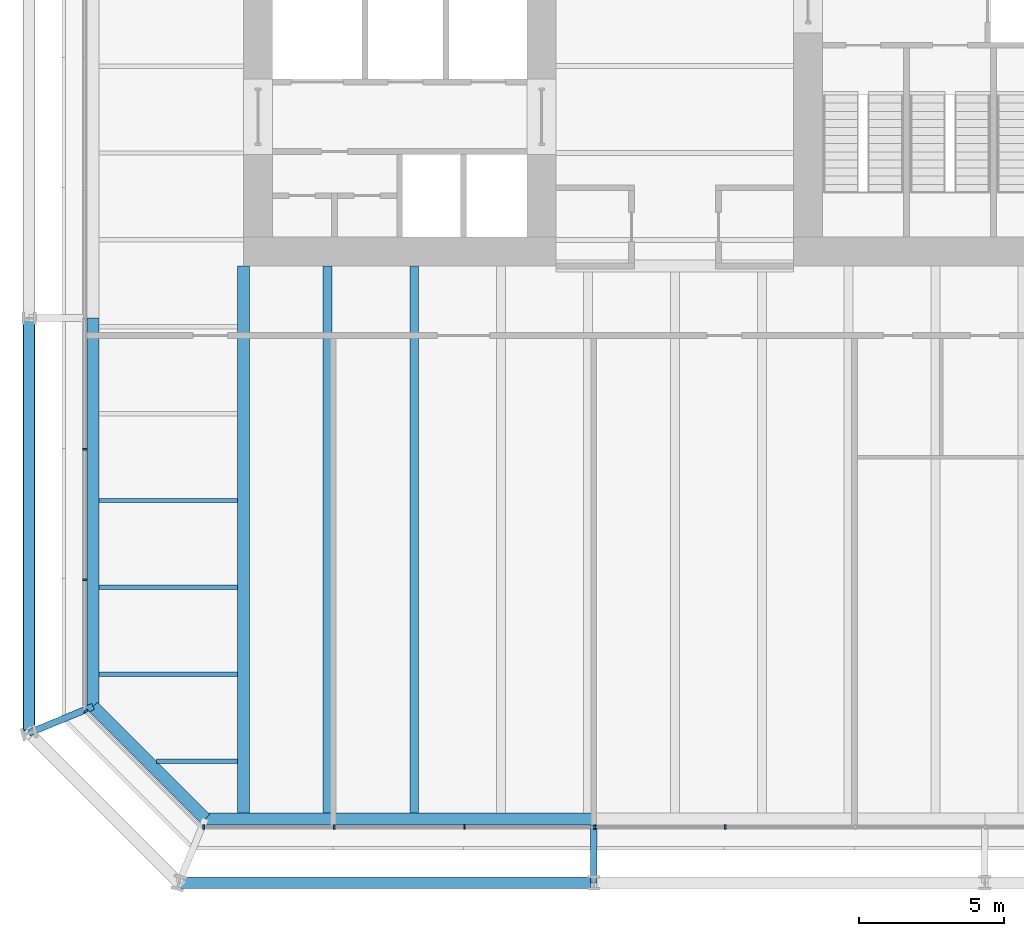
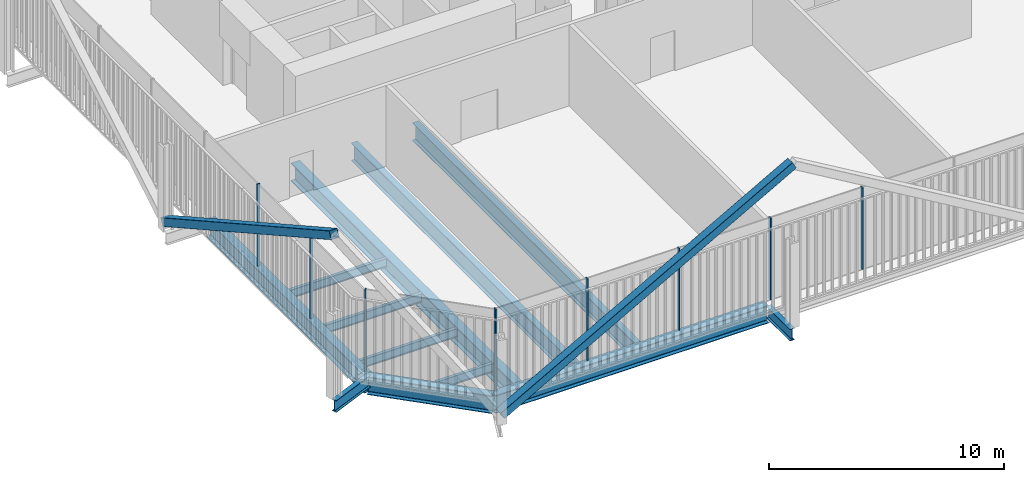
# One storey, part 2 of 21: 12 beams, 10 members, 3 elements without a shape of their own.
"""IFC4 building model written with IfcOpenShell, lengths in metres."""

from ifc_helpers import new_model, si_unit, direction, frame, origin, origin_2d, place, context, subcontext, project, spatial, rectangle, hollow_rectangle, i_section, extrude, material, layer, layer_set, material_profile, profile_set, type_object, element, aggregate, save


model = new_model("IFC4")

# Units and contexts
model_context = context("Model", 3, precision=1e-05, world=origin(), true_north=direction((0.0, 1.0)))
body_context = subcontext(model_context, "Body", "Model", "MODEL_VIEW")
ifc_project = project(units=[si_unit("LENGTHUNIT", "METRE"), si_unit("AREAUNIT", "SQUARE_METRE"), si_unit("VOLUMEUNIT", "CUBIC_METRE"), si_unit("PLANEANGLEUNIT", "RADIAN"), si_unit("MASSUNIT", "GRAM", prefix="KILO")], contexts=[model_context])

# Site, building, storey
site_placement = place(None, origin())
site = spatial("IfcSite", under=ifc_project, at=site_placement, CompositionType="ELEMENT")
building_placement = place(site_placement, origin())
building = spatial("IfcBuilding", under=site, at=building_placement, Name="Millrace Tower", CompositionType="ELEMENT")
storey_placement = place(building_placement, frame((0.0, 0.0, 104.0)))
storey = spatial("IfcBuildingStorey", under=building, at=storey_placement, Name="L23", CompositionType="ELEMENT", Elevation=104.0)

# Curtain wall, member
ifc_material_1 = material(Name="Aluminium and glass", Category="aluminium")
ifc_layer = layer(ifc_material_1, 0.14990234375)
ifc_layer_set = layer_set([ifc_layer], Name="Aluminium and glass")
curtain_wall_type = type_object("IfcCurtainWallType", Name="CW-3 telecom floor curtain wall", PredefinedType="NOTDEFINED", material=ifc_layer_set)
placement = place(storey_placement, origin())
curtain_wall_1 = element("IfcCurtainWall", 1, at=placement, inside=storey, type_object=curtain_wall_type, Name="Curtain wall B-F01 L23", PredefinedType="NOTDEFINED")
ifc_material_2 = material(Name="Aluminium", Category="aluminium")
ifc_material_profile_1 = material_profile(ifc_material_2, rectangle(XDim=0.06494140625, YDim=0.14990234375, at=origin_2d()))
ifc_profile_set_1 = profile_set([ifc_material_profile_1], Name="Aluminium")
member_type_1 = type_object("IfcMemberType", Name="CW-3 telecom floor curtain wall mullion", PredefinedType="MULLION", material=ifc_profile_set_1)
member_1_placement = place(storey_placement, frame((-20.330078125, -25.276123046875, 0.14990234375), z_axis=(0.0, 0.0, 1.0), x_axis=(0.707106781187, -0.707106781187, 0.0)))
member_1 = element("IfcMember", 2, at=member_1_placement, type_object=member_type_1, Name="CW3 mullion B-F01.1", PredefinedType="MULLION", context=body_context, shape_type="SweptSolid", body=[
    extrude(rectangle(XDim=0.06494140625, YDim=0.14990234375, at=origin_2d()), origin(), (0.0, 0.0, 1.0), 4.25),
])
aggregate(curtain_wall_1, [member_1])

# Curtain wall, members
curtain_wall_2 = element("IfcCurtainWall", 3, at=placement, inside=storey, type_object=curtain_wall_type, Name="Curtain wall B-F02 L23", PredefinedType="NOTDEFINED")
member_2_placement = place(storey_placement, frame((-16.267578125, -29.27490234375, 0.14990234375), z_axis=(0.0, 0.0, 1.0), x_axis=(1.0, 0.0, 0.0)))
member_2 = element("IfcMember", 4, at=member_2_placement, type_object=member_type_1, Name="CW3 mullion B-F02.1", PredefinedType="MULLION", context=body_context, shape_type="SweptSolid", body=[
    extrude(rectangle(XDim=0.06494140625, YDim=0.14990234375, at=origin_2d()), origin(), (0.0, 0.0, 1.0), 4.25),
])
member_3_placement = place(storey_placement, frame((-11.767578125, -29.27490234375, 0.14990234375), z_axis=(0.0, 0.0, 1.0), x_axis=(1.0, 0.0, 0.0)))
member_3 = element("IfcMember", 5, at=member_3_placement, type_object=member_type_1, Name="CW3 mullion B-F02.2", PredefinedType="MULLION", context=body_context, shape_type="SweptSolid", body=[
    extrude(rectangle(XDim=0.06494140625, YDim=0.14990234375, at=origin_2d()), origin(), (0.0, 0.0, 1.0), 4.25),
])
member_4_placement = place(storey_placement, frame((-7.267578125, -29.27490234375, 0.14990234375), z_axis=(0.0, 0.0, 1.0), x_axis=(1.0, 0.0, 0.0)))
member_4 = element("IfcMember", 6, at=member_4_placement, type_object=member_type_1, Name="CW3 mullion B-F02.3", PredefinedType="MULLION", context=body_context, shape_type="SweptSolid", body=[
    extrude(rectangle(XDim=0.06494140625, YDim=0.14990234375, at=origin_2d()), origin(), (0.0, 0.0, 1.0), 4.25),
])
member_5_placement = place(storey_placement, frame((-2.767578125, -29.27490234375, 0.14990234375), z_axis=(0.0, 0.0, 1.0), x_axis=(1.0, 0.0, 0.0)))
member_5 = element("IfcMember", 7, at=member_5_placement, type_object=member_type_1, Name="CW3 mullion B-F02.4", PredefinedType="MULLION", context=body_context, shape_type="SweptSolid", body=[
    extrude(rectangle(XDim=0.06494140625, YDim=0.14990234375, at=origin_2d()), origin(), (0.0, 0.0, 1.0), 4.25),
])
member_6_placement = place(storey_placement, frame((1.732421875, -29.27490234375, 0.14990234375), z_axis=(0.0, 0.0, 1.0), x_axis=(1.0, 0.0, 0.0)))
member_6 = element("IfcMember", 8, at=member_6_placement, type_object=member_type_1, Name="CW3 mullion B-F02.5", PredefinedType="MULLION", context=body_context, shape_type="SweptSolid", body=[
    extrude(rectangle(XDim=0.06494140625, YDim=0.14990234375, at=origin_2d()), origin(), (0.0, 0.0, 1.0), 4.25),
])
aggregate(curtain_wall_2, [member_2, member_3, member_4, member_5, member_6])

curtain_wall_3 = element("IfcCurtainWall", 9, at=placement, inside=storey, type_object=curtain_wall_type, Name="Curtain wall B-F08 L23", PredefinedType="NOTDEFINED")
member_7_placement = place(storey_placement, frame((-20.375, -16.232421875, 0.14990234375), z_axis=(0.0, 0.0, 1.0), x_axis=(0.0, -1.0, 0.0)))
member_7 = element("IfcMember", 10, at=member_7_placement, type_object=member_type_1, Name="CW3 mullion B-F08.8", PredefinedType="MULLION", context=body_context, shape_type="SweptSolid", body=[
    extrude(rectangle(XDim=0.06494140625, YDim=0.14990234375, at=origin_2d()), origin(), (0.0, 0.0, 1.0), 4.25),
])
member_8_placement = place(storey_placement, frame((-20.375, -20.732421875, 0.14990234375), z_axis=(0.0, 0.0, 1.0), x_axis=(0.0, -1.0, 0.0)))
member_8 = element("IfcMember", 11, at=member_8_placement, type_object=member_type_1, Name="CW3 mullion B-F08.9", PredefinedType="MULLION", context=body_context, shape_type="SweptSolid", body=[
    extrude(rectangle(XDim=0.06494140625, YDim=0.14990234375, at=origin_2d()), origin(), (0.0, 0.0, 1.0), 4.25),
])
aggregate(curtain_wall_3, [member_7, member_8])

# Members
ifc_material_3 = material(Name="Steel ASTM A500 Grade C", Category="steel")
ifc_material_profile_2 = material_profile(ifc_material_3, hollow_rectangle(XDim=0.406494140625, YDim=0.406494140625, WallThickness=0.0126953125, InnerFilletRadius=0.00634765625, OuterFilletRadius=0.01904296875, at=origin_2d()))
ifc_profile_set_2 = profile_set([ifc_material_profile_2], Name="Steel ASTM A500 Grade C")
member_type_2 = type_object("IfcMemberType", Name="Exoskeleton brace HSS16x16x1/2", PredefinedType="BRACE", material=ifc_profile_set_2)
for number, where, z_axis, x_axis, name in (
    (12, (-17.12841796875, -31.199951171875, 0.39990234375), (0.873125840427, 0.0, 0.487494888976), (0.0, 1.0, 0.0), "BRC-B-L23-02"),
    (13, (-22.300048828125, -11.699951171875, 0.39990234375), (0.0, -0.873125840427, 0.487494888976), (1.0, 0.0, 0.0), "BRC-B-L23-16"),
):
    element("IfcMember", number, at=place(storey_placement, frame(where, z_axis=z_axis, x_axis=x_axis)), inside=storey, type_object=member_type_2, Name=name, PredefinedType="BRACE", context=body_context, shape_type="SweptSolid", body=[
        extrude(hollow_rectangle(XDim=0.406494140625, YDim=0.406494140625, WallThickness=0.0126953125, InnerFilletRadius=0.00634765625, OuterFilletRadius=0.01904296875, at=origin_2d()), origin(), (0.0, 0.0, 1.0), 16.410400390625),
    ])

# Beams
ifc_material_4 = material(Name="Steel ASTM A992 Grade 50", Category="steel")
ifc_material_profile_3 = material_profile(ifc_material_4, i_section(OverallWidth=0.15234375, OverallDepth=0.449462890625, WebThickness=0.007568359375, FlangeThickness=0.0107421875, FilletRadius=0.01025390625, at=origin_2d()))
ifc_profile_set_3 = profile_set([ifc_material_profile_3], Name="Steel ASTM A992 Grade 50")
beam_type_1 = type_object("IfcBeamType", Name="Floor beam W18x35", PredefinedType="JOIST", material=ifc_profile_set_3)
for number, where, z_axis, x_axis, name in (
    (14, (-19.880859375, -24.0, -0.4248046875), (1.0, 0.0, 0.0), (0.0, 1.0, 0.0), "BM-B-L23-S1-S003"),
    (15, (-19.880859375, -21.0, -0.4248046875), (1.0, 0.0, 0.0), (0.0, 1.0, 0.0), "BM-B-L23-S1-S005"),
    (16, (-19.880859375, -18.0, -0.4248046875), (1.0, 0.0, 0.0), (0.0, 1.0, 0.0), "BM-B-L23-S1-S007"),
):
    element("IfcBeam", number, at=place(storey_placement, frame(where, z_axis=z_axis, x_axis=x_axis)), inside=storey, type_object=beam_type_1, Name=name, PredefinedType="JOIST", context=body_context, shape_type="SweptSolid", body=[
        extrude(i_section(OverallWidth=0.15234375, OverallDepth=0.449462890625, WebThickness=0.007568359375, FlangeThickness=0.0107421875, FilletRadius=0.01025390625, at=origin_2d()), origin(), (0.0, 0.0, 1.0), 4.77001953125),
    ])
beam_1_placement = place(storey_placement, frame((-17.895263671875, -27.0, -0.4248046875), z_axis=(1.0, 0.0, 0.0), x_axis=(0.0, 1.0, 0.0)))
element("IfcBeam", 17, at=beam_1_placement, inside=storey, type_object=beam_type_1, Name="BM-B-L23-S1-S001", PredefinedType="JOIST", context=body_context, shape_type="SweptSolid", body=[
    extrude(i_section(OverallWidth=0.15234375, OverallDepth=0.449462890625, WebThickness=0.007568359375, FlangeThickness=0.0107421875, FilletRadius=0.01025390625, at=origin_2d()), origin(), (0.0, 0.0, 1.0), 2.784423828125),
])
ifc_material_5 = material(Name="Steel ASTM A992 Grade 50", Category="steel")
ifc_material_profile_4 = material_profile(ifc_material_5, i_section(OverallWidth=0.307373046875, OverallDepth=0.927001953125, WebThickness=0.01953125, FlangeThickness=0.031982421875, FilletRadius=0.01904296875, at=origin_2d()))
ifc_profile_set_4 = profile_set([ifc_material_profile_4], Name="Steel ASTM A992 Grade 50")
beam_type_2 = type_object("IfcBeamType", Name="Floor beam W36x194", PredefinedType="JOIST", material=ifc_profile_set_4)
for number, where, z_axis, x_axis, name in (
    (18, (-12.0, -28.781005859375, -0.66357421875), (0.0, 1.0, 0.0), (-1.0, 0.0, 0.0), "BM-B-L23-S1-S041"),
    (19, (-9.0, -28.781005859375, -0.66357421875), (0.0, 1.0, 0.0), (-1.0, 0.0, 0.0), "BM-B-L23-S1-S043"),
):
    element("IfcBeam", number, at=place(storey_placement, frame(where, z_axis=z_axis, x_axis=x_axis)), inside=storey, type_object=beam_type_2, Name=name, PredefinedType="JOIST", context=body_context, shape_type="SweptSolid", body=[
        extrude(i_section(OverallWidth=0.307373046875, OverallDepth=0.927001953125, WebThickness=0.01953125, FlangeThickness=0.031982421875, FilletRadius=0.01904296875, at=origin_2d()), origin(), (0.0, 0.0, 1.0), 18.881103515625),
    ])
ifc_material_6 = material(Name="Steel ASTM A992 Grade 50", Category="steel")
ifc_material_profile_5 = material_profile(ifc_material_6, i_section(OverallWidth=0.424072265625, OverallDepth=0.947509765625, WebThickness=0.02392578125, FlangeThickness=0.042724609375, FilletRadius=0.024169921875, at=origin_2d()))
ifc_profile_set_5 = profile_set([ifc_material_profile_5], Name="Steel ASTM A992 Grade 50")
beam_type_3 = type_object("IfcBeamType", Name="Girder medium span W36x302", PredefinedType="BEAM", material=ifc_profile_set_5)
beam_2_placement = place(storey_placement, frame((-14.89990234375, -28.781005859375, -0.673828125), z_axis=(0.0, 1.0, 0.0), x_axis=(-1.0, 0.0, 0.0)))
element("IfcBeam", 20, at=beam_2_placement, inside=storey, type_object=beam_type_3, Name="BM-B-L23-S1-G059", PredefinedType="BEAM", context=body_context, shape_type="SweptSolid", body=[
    extrude(i_section(OverallWidth=0.424072265625, OverallDepth=0.947509765625, WebThickness=0.02392578125, FlangeThickness=0.042724609375, FilletRadius=0.024169921875, at=origin_2d()), origin(), (0.0, 0.0, 1.0), 18.881103515625),
])
ifc_material_7 = material(Name="Steel ASTM A992 Grade 50", Category="steel")
ifc_material_profile_6 = material_profile(ifc_material_7, i_section(OverallWidth=0.23046875, OverallDepth=0.6171875, WebThickness=0.01318359375, FlangeThickness=0.022216796875, FilletRadius=0.012939453125, at=origin_2d()))
ifc_profile_set_6 = profile_set([ifc_material_profile_6], Name="Steel ASTM A992 Grade 50")
beam_type_4 = type_object("IfcBeamType", Name="Link beam W24x94", PredefinedType="BEAM", material=ifc_profile_set_6)
beam_3_placement = place(storey_placement, frame((-20.09033203125, -25.11328125, -0.508544921875), z_axis=(-0.923917312949, -0.382592209583, 0.0), x_axis=(0.382592209583, -0.923917312949, 0.0)))
element("IfcBeam", 21, at=beam_3_placement, inside=storey, type_object=beam_type_4, Name="LNK-B-L23-S1-01", PredefinedType="BEAM", context=body_context, shape_type="SweptSolid", body=[
    extrude(i_section(OverallWidth=0.23046875, OverallDepth=0.6171875, WebThickness=0.01318359375, FlangeThickness=0.022216796875, FilletRadius=0.012939453125, at=origin_2d()), origin(), (0.0, 0.0, 1.0), 2.3916015625),
])
beam_4_placement = place(storey_placement, frame((-2.800048828125, -29.199951171875, -0.508544921875), z_axis=(0.0, -1.0, 0.0), x_axis=(1.0, 0.0, 0.0)))
element("IfcBeam", 22, at=beam_4_placement, inside=storey, type_object=beam_type_4, Name="LNK-B-L23-S1-15", PredefinedType="BEAM", context=body_context, shape_type="SweptSolid", body=[
    extrude(i_section(OverallWidth=0.23046875, OverallDepth=0.6171875, WebThickness=0.01318359375, FlangeThickness=0.022216796875, FilletRadius=0.012939453125, at=origin_2d()), origin(), (0.0, 0.0, 1.0), 2.0),
])
ifc_material_8 = material(Name="Steel ASTM A992 Grade 50", Category="steel")
ifc_material_profile_7 = material_profile(ifc_material_8, i_section(OverallWidth=0.419189453125, OverallDepth=0.927001953125, WebThickness=0.019287109375, FlangeThickness=0.031982421875, FilletRadius=0.024169921875, at=origin_2d()))
ifc_profile_set_7 = profile_set([ifc_material_profile_7], Name="Steel ASTM A992 Grade 50")
beam_type_5 = type_object("IfcBeamType", Name="Ring beam medium span W36x231", PredefinedType="SPANDREL", material=ifc_profile_set_7)
beam_5_placement = place(storey_placement, frame((-20.09033203125, -25.11328125, -0.66357421875), z_axis=(0.0, 1.0, 0.0), x_axis=(-1.0, 0.0, 0.0)))
element("IfcBeam", 23, at=beam_5_placement, inside=storey, type_object=beam_type_5, Name="RNG-B-L23-S1-01", PredefinedType="SPANDREL", context=body_context, shape_type="SweptSolid", body=[
    extrude(i_section(OverallWidth=0.419189453125, OverallDepth=0.927001953125, WebThickness=0.019287109375, FlangeThickness=0.031982421875, FilletRadius=0.024169921875, at=origin_2d()), origin(), (0.0, 0.0, 1.0), 13.413330078125),
])
beam_6_placement = place(storey_placement, frame((-2.800048828125, -28.990478515625, -0.66357421875), z_axis=(-1.0, 0.0, 0.0), x_axis=(0.0, -1.0, 0.0)))
element("IfcBeam", 24, at=beam_6_placement, inside=storey, type_object=beam_type_5, Name="RNG-B-L23-S1-15", PredefinedType="SPANDREL", context=body_context, shape_type="SweptSolid", body=[
    extrude(i_section(OverallWidth=0.419189453125, OverallDepth=0.927001953125, WebThickness=0.019287109375, FlangeThickness=0.031982421875, FilletRadius=0.024169921875, at=origin_2d()), origin(), (0.0, 0.0, 1.0), 13.4130859375),
])
ifc_material_9 = material(Name="Steel ASTM A992 Grade 50", Category="steel")
ifc_material_profile_8 = material_profile(ifc_material_9, i_section(OverallWidth=0.419189453125, OverallDepth=0.927001953125, WebThickness=0.019287109375, FlangeThickness=0.031982421875, FilletRadius=0.024169921875, at=origin_2d()))
ifc_profile_set_8 = profile_set([ifc_material_profile_8], Name="Steel ASTM A992 Grade 50")
beam_type_6 = type_object("IfcBeamType", Name="Ring beam short span W36x231", PredefinedType="SPANDREL", material=ifc_profile_set_8)
beam_7_placement = place(storey_placement, frame((-16.213134765625, -28.990478515625, -0.66357421875), z_axis=(-0.707106781187, 0.707106781187, 0.0), x_axis=(-0.707106781187, -0.707106781187, 0.0)))
element("IfcBeam", 25, at=beam_7_placement, inside=storey, type_object=beam_type_6, Name="RNG-B-L23-S1-16", PredefinedType="SPANDREL", context=body_context, shape_type="SweptSolid", body=[
    extrude(i_section(OverallWidth=0.419189453125, OverallDepth=0.927001953125, WebThickness=0.019287109375, FlangeThickness=0.031982421875, FilletRadius=0.024169921875, at=origin_2d()), origin(), (0.0, 0.0, 1.0), 5.483154296875),
])

save(model, "model.ifc")
